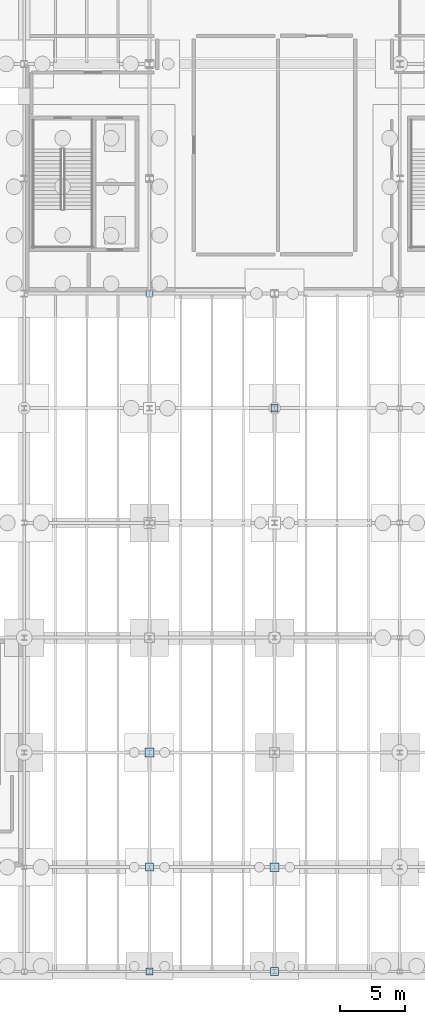
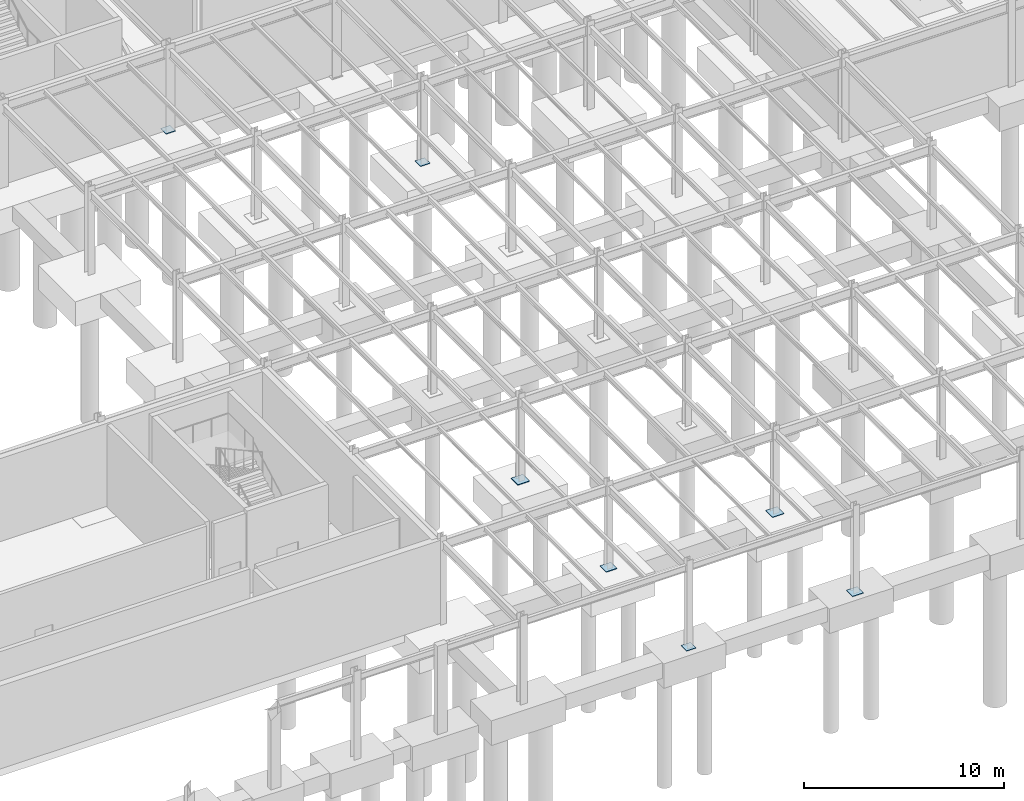
# One storey, part 26 of 48: 7 plates.
"""IFC4 building model written with IfcOpenShell, lengths in metres."""

import ifcopenshell
import ifcopenshell.guid

model = None  # the IFC model being written
_history = None  # IfcOwnerHistory: only IFC2X3 demands one
_inside = {}  # id of a spatial element -> (the spatial element, [elements in it])
_under = {}  # id of a project, library or spatial element -> (it, [spatial elements below it])
_declared = {}  # id of a project -> (the project, [libraries it declares])
_typed = {}  # id of a type object -> (the type object, [elements of that type])
_made_of = {}  # id of a material, layer set ... -> (it, [elements and type objects made of it])


def new_model(schema):
    """Start an empty IFC model of exactly this schema.

    Asked for "IFC4X3", IfcOpenShell would pick the latest addendum, in which some entities
    have other attributes; the version numbers below select the first issue.
    IFC2X3 requires an IfcOwnerHistory on every rooted entity: one is made here for all.
    """
    global model, _history
    if schema == "IFC4X3":
        model = ifcopenshell.file(schema_version=(4, 3, 0, 0))
    else:
        model = ifcopenshell.file(schema=schema)
    _inside.clear()
    _under.clear()
    _declared.clear()
    _typed.clear()
    _made_of.clear()
    _history = None
    if model.schema == "IFC2X3":
        org = make("IfcOrganization", Name="unknown")
        user = make(
            "IfcPersonAndOrganization",
            ThePerson=make("IfcPerson", FamilyName="unknown"),
            TheOrganization=org,
        )
        app = make(
            "IfcApplication",
            ApplicationDeveloper=org,
            Version="unknown",
            ApplicationFullName="unknown",
            ApplicationIdentifier="unknown",
        )
        _history = make(
            "IfcOwnerHistory",
            OwningUser=user,
            OwningApplication=app,
            ChangeAction="ADDED",
            CreationDate=0,
        )
    return model


def make(cls, **values):
    """One entity of the class cls with the attributes given. An attribute that is None is left unset."""
    return model.create_entity(
        cls, **{name: value for name, value in values.items() if value is not None}
    )


def rooted(cls, **values):
    """An entity with a GlobalId (a new one), such as an element, a storey or a relation."""
    return make(cls, GlobalId=ifcopenshell.guid.new(), OwnerHistory=_history, **values)


def si_unit(unit_type, name, prefix=None):
    """IfcSIUnit, for example si_unit("LENGTHUNIT", "METRE", prefix="MILLI")."""
    return make("IfcSIUnit", UnitType=unit_type, Prefix=prefix, Name=name)


def assignment(units):
    """IfcUnitAssignment: the units of a project."""
    return None if units is None else make("IfcUnitAssignment", Units=units)


def point(xyz):
    """IfcCartesianPoint."""
    return None if xyz is None else make("IfcCartesianPoint", Coordinates=xyz)


def direction(xyz):
    """IfcDirection."""
    return None if xyz is None else make("IfcDirection", DirectionRatios=xyz)


def frame(location, z_axis=None, x_axis=None):
    """IfcAxis2Placement3D, a coordinate frame: its origin and axes. An axis left out is left unset."""
    return make(
        "IfcAxis2Placement3D",
        Location=point(location),
        Axis=direction(z_axis),
        RefDirection=direction(x_axis),
    )


def frame_2d(location, x_axis=None):
    """IfcAxis2Placement2D, a coordinate frame in the plane: its origin and x axis."""
    return make(
        "IfcAxis2Placement2D", Location=point(location), RefDirection=direction(x_axis)
    )


def origin():
    """The frame at (0, 0, 0) with its axes left unset."""
    return frame((0.0, 0.0, 0.0))


def origin_2d():
    """The frame at (0, 0) in the plane with its x axis left unset."""
    return frame_2d((0.0, 0.0))


def place(relative_to, where):
    """IfcLocalPlacement: puts the frame where relative to a parent placement (None: the world)."""
    return make(
        "IfcLocalPlacement", PlacementRelTo=relative_to, RelativePlacement=where
    )


def context(
    kind, dimensions, precision=None, world=None, true_north=None, identifier=None
):
    """IfcGeometricRepresentationContext, for example the 3D "Model" context."""
    return make(
        "IfcGeometricRepresentationContext",
        ContextIdentifier=identifier,
        ContextType=kind,
        CoordinateSpaceDimension=dimensions,
        Precision=precision,
        WorldCoordinateSystem=world,
        TrueNorth=true_north,
    )


def subcontext(parent, identifier, kind, view, scale=None):
    """IfcGeometricRepresentationSubContext, for example "Body" below "Model"."""
    return make(
        "IfcGeometricRepresentationSubContext",
        ContextIdentifier=identifier,
        ContextType=kind,
        ParentContext=parent,
        TargetScale=scale,
        TargetView=view,
    )


def project(units=None, contexts=None):
    """IfcProject with its units and contexts."""
    return rooted(
        "IfcProject",
        Name="project",
        RepresentationContexts=contexts,
        UnitsInContext=assignment(units),
    )


def spatial(cls, under=None, at=None, **own):
    """A site, building, storey or space (cls), placed at a placement, below another one or the project."""
    s = rooted(cls, ObjectPlacement=at, **own)
    if under is not None:
        _under.setdefault(under.id(), (under, []))[1].append(s)
    return s


def profile(cls, at=None, kind="AREA", **sizes):
    """A parametric profile (cls). Its sizes go by their IFC names, for example OverallWidth=200.0."""
    return make(cls, ProfileType=kind, Position=at, **sizes)


def rectangle(**sizes):
    """IfcRectangleProfileDef."""
    return profile("IfcRectangleProfileDef", **sizes)


def extrude(swept, where, along, depth):
    """IfcExtrudedAreaSolid: the profile swept, set in the frame where, extruded along a direction by depth."""
    return make(
        "IfcExtrudedAreaSolid",
        SweptArea=swept,
        Position=where,
        ExtrudedDirection=direction(along),
        Depth=depth,
    )


def shape(context_of_items, identifier, shape_type, items):
    """IfcShapeRepresentation: the items that make up one representation, for example the "Body"."""
    return make(
        "IfcShapeRepresentation",
        ContextOfItems=context_of_items,
        RepresentationIdentifier=identifier,
        RepresentationType=shape_type,
        Items=items,
    )


def material(Name=None, Category=None):
    """IfcMaterial."""
    return make("IfcMaterial", Name=Name, Category=Category)


def layer(
    of_material, thickness, ventilated=None, Name=None, Category=None, Priority=None
):
    """IfcMaterialLayer: one layer of a wall or slab, of a material (None: an air gap)."""
    return make(
        "IfcMaterialLayer",
        Material=of_material,
        LayerThickness=thickness,
        IsVentilated=ventilated,
        Name=Name,
        Category=Category,
        Priority=Priority,
    )


def layer_set(layers, Name=None):
    """IfcMaterialLayerSet."""
    return make("IfcMaterialLayerSet", MaterialLayers=layers, LayerSetName=Name)


def made_of(thing, what):
    """Note that an element or type object is made of a material, layer set ...; save() writes the relation."""
    if what is not None:
        _made_of.setdefault(what.id(), (what, []))[1].append(thing)
    return thing


def type_object(cls, material=None, **own):
    """A type object (cls), such as IfcWallType, which elements share."""
    return made_of(rooted(cls, **own), material)


def element(
    cls,
    number,
    at=None,
    inside=None,
    cuts=None,
    type_object=None,
    material=None,
    context=None,
    identifier="Body",
    shape_type=None,
    held_by="IfcProductDefinitionShape",
    body=None,
    shapes=None,
    **own,
):
    """One element of the class cls, such as IfcWall. Its Tag is "e" and its number.

    at: its placement. inside: the storey or other place that contains it. cuts: it is an
    opening in that element (IfcRelVoidsElement). A single representation is given by context,
    identifier, shape_type and body (its items); several are given by shapes. held_by: the class
    of the entity that holds the representations. save() writes the other relations.
    """
    e = rooted(cls, Tag="e%d" % number, ObjectPlacement=at, **own)
    if body is not None:
        shapes = [shape(context, identifier, shape_type, body)]
    if shapes is not None:
        e.Representation = make(held_by, Representations=shapes)
    if inside is not None:
        _inside.setdefault(inside.id(), (inside, []))[1].append(e)
    if cuts is not None:
        rooted(
            "IfcRelVoidsElement", RelatingBuildingElement=cuts, RelatedOpeningElement=e
        )
    if type_object is not None:
        _typed.setdefault(type_object.id(), (type_object, []))[1].append(e)
    return made_of(e, material)


def aggregate(whole, parts):
    """IfcRelAggregates: a whole, such as a stair, and the parts it consists of."""
    return rooted("IfcRelAggregates", RelatingObject=whole, RelatedObjects=parts)


def save(model, path):
    """Write the relations noted so far, then the file.

    IfcRelAggregates (storeys below a building ...), IfcRelContainedInSpatialStructure (elements
    in a storey), IfcRelDefinesByType, IfcRelAssociatesMaterial and IfcRelDeclares: one each for
    every whole, place, type object, material and project.
    """
    for whole, parts in _under.values():
        aggregate(whole, parts)
    for where, things in _inside.values():
        rooted(
            "IfcRelContainedInSpatialStructure",
            RelatedElements=things,
            RelatingStructure=where,
        )
    for kind, things in _typed.values():
        rooted("IfcRelDefinesByType", RelatedObjects=things, RelatingType=kind)
    for what, things in _made_of.values():
        rooted("IfcRelAssociatesMaterial", RelatedObjects=things, RelatingMaterial=what)
    for by, libraries in _declared.values():
        rooted("IfcRelDeclares", RelatingContext=by, RelatedDefinitions=libraries)
    model.write(path)


model = new_model("IFC4")

# Units and contexts
model_context = context("Model", 3, precision=1e-05, world=origin(), true_north=direction((0.0, 1.0)))
body_context = subcontext(model_context, "Body", "Model", "MODEL_VIEW")
ifc_project = project(units=[si_unit("LENGTHUNIT", "METRE"), si_unit("AREAUNIT", "SQUARE_METRE"), si_unit("VOLUMEUNIT", "CUBIC_METRE"), si_unit("PLANEANGLEUNIT", "RADIAN"), si_unit("MASSUNIT", "GRAM", prefix="KILO")], contexts=[model_context])

# Site, building, storey
site_placement = place(None, origin())
site = spatial("IfcSite", under=ifc_project, at=site_placement, CompositionType="ELEMENT")
building_placement = place(site_placement, origin())
building = spatial("IfcBuilding", under=site, at=building_placement, Name="Sarnbrook Museum", CompositionType="ELEMENT")
storey_placement = place(building_placement, frame((0.0, 0.0, -5.39990234375)))
storey = spatial("IfcBuildingStorey", under=building, at=storey_placement, Name="B1", CompositionType="ELEMENT", Elevation=-5.39990234375)

# Plates
ifc_material = material(Name="Structural Steel Grade 350L0 (AS/NZS 3678, fy = 340 MPa for 20 < t <= 40 mm)", Category="steel")
ifc_layer_1 = layer(ifc_material, 0.031982421875)
ifc_layer_set_1 = layer_set([ifc_layer_1], Name="Structural Steel Grade 350L0 (AS/NZS 3678, fy = 340 MPa for 20 < t <= 40 mm)")
plate_type_1 = type_object("IfcPlateType", Name="SheetPlate_BP1", PredefinedType="SHEET", material=ifc_layer_set_1)
for number, where, z_axis, x_axis, name in (
    (1, (90.39990234375, 4.800048828125, 0.0), (0.0, 0.0, 1.0), (1.0, 0.0, 0.0), "Column Base Plate 10-A"),
    (2, (90.39990234375, 56.800048828125, 0.0), (0.0, 0.0, 1.0), (1.0, 0.0, 0.0), "Column Base Plate 10-G"),
    (3, (100.0, 48.0, 0.0), (0.0, 0.0, 1.0), (1.0, 0.0, 0.0), "Column Base Plate 11-F"),
):
    element("IfcPlate", number, at=place(storey_placement, frame(where, z_axis=z_axis, x_axis=x_axis)), inside=storey, type_object=plate_type_1, Name=name, PredefinedType="SHEET", context=body_context, shape_type="SweptSolid", body=[
        extrude(rectangle(XDim=0.550048828125, YDim=0.550048828125, at=origin_2d()), origin(), (0.0, 0.0, 1.0), 0.031982421875),
    ])
ifc_layer_2 = layer(ifc_material, 0.033935546875)
ifc_layer_set_2 = layer_set([ifc_layer_2], Name="Structural Steel Grade 350L0 (AS/NZS 3678, fy = 340 MPa for 20 < t <= 40 mm)")
plate_type_2 = type_object("IfcPlateType", Name="SheetPlate_BP2", PredefinedType="SHEET", material=ifc_layer_set_2)
for number, where, z_axis, x_axis, name in (
    (4, (90.39990234375, 12.800048828125, 0.0), (0.0, 0.0, 1.0), (1.0, 0.0, 0.0), "Column Base Plate 10-B"),
    (5, (100.0, 4.800048828125, 0.0), (0.0, 0.0, 1.0), (1.0, 0.0, 0.0), "Column Base Plate 11-A"),
):
    element("IfcPlate", number, at=place(storey_placement, frame(where, z_axis=z_axis, x_axis=x_axis)), inside=storey, type_object=plate_type_2, Name=name, PredefinedType="SHEET", context=body_context, shape_type="SweptSolid", body=[
        extrude(rectangle(XDim=0.6201171875, YDim=0.6201171875, at=origin_2d()), origin(), (0.0, 0.0, 1.0), 0.033935546875),
    ])
ifc_layer_3 = layer(ifc_material, 0.035888671875)
ifc_layer_set_3 = layer_set([ifc_layer_3], Name="Structural Steel Grade 350L0 (AS/NZS 3678, fy = 340 MPa for 20 < t <= 40 mm)")
plate_type_3 = type_object("IfcPlateType", Name="SheetPlate_BP3", PredefinedType="SHEET", material=ifc_layer_set_3)
for number, where, z_axis, x_axis, name in (
    (6, (90.39990234375, 21.60009765625, 0.0), (0.0, 0.0, 1.0), (1.0, 0.0, 0.0), "Column Base Plate 10-C"),
    (7, (100.0, 12.800048828125, 0.0), (0.0, 0.0, 1.0), (1.0, 0.0, 0.0), "Column Base Plate 11-B"),
):
    element("IfcPlate", number, at=place(storey_placement, frame(where, z_axis=z_axis, x_axis=x_axis)), inside=storey, type_object=plate_type_3, Name=name, PredefinedType="SHEET", context=body_context, shape_type="SweptSolid", body=[
        extrude(rectangle(XDim=0.679931640625, YDim=0.679931640625, at=origin_2d()), origin(), (0.0, 0.0, 1.0), 0.035888671875),
    ])

save(model, "model.ifc")
